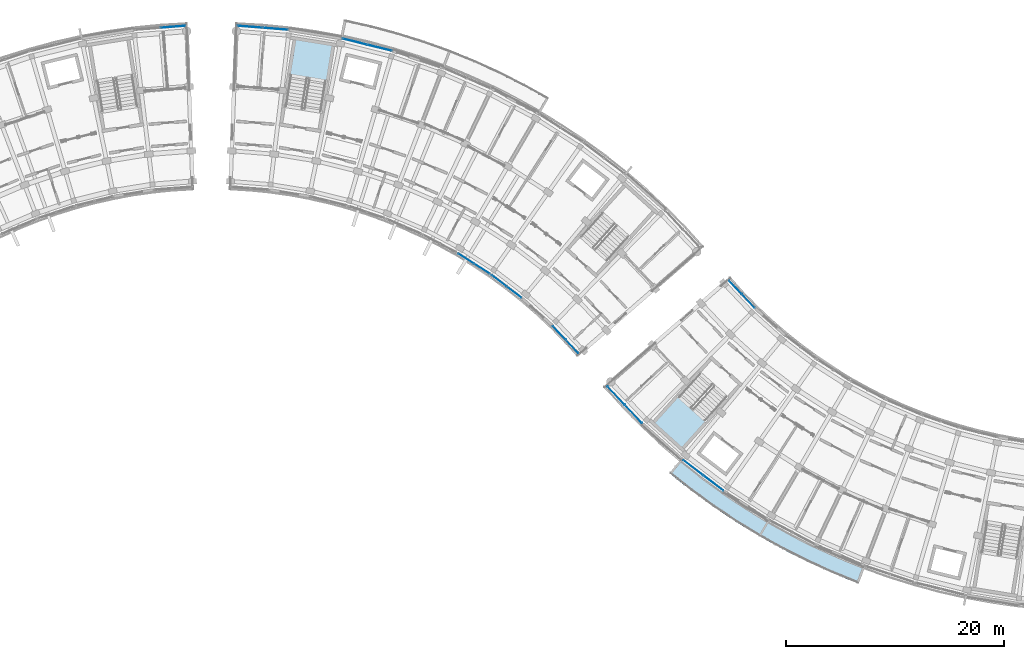
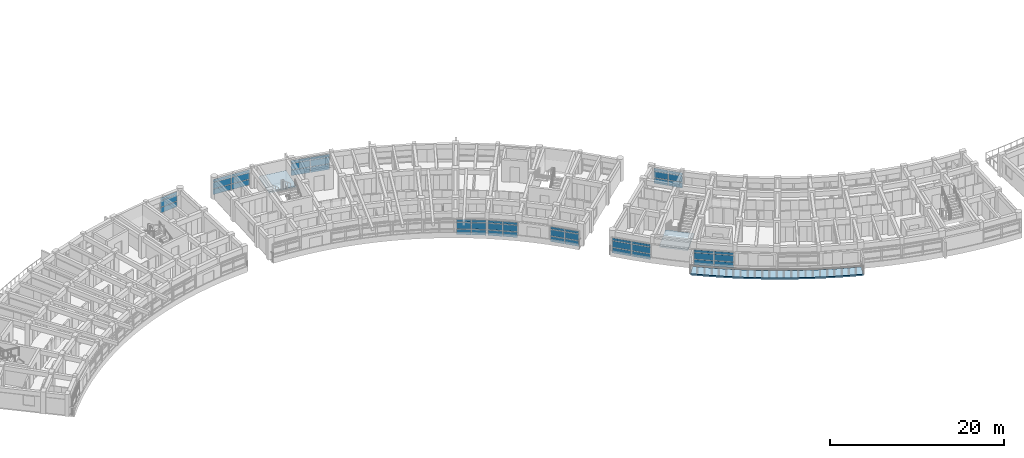
# One storey, part 22 of 54: 51 plates, 3 slabs, 11 elements without a shape of their own.
"""IFC4 building model written with IfcOpenShell, lengths in metres."""

from ifc_helpers import new_model, si_unit, direction, frame, origin, origin_2d, place, context, subcontext, project, spatial, polyline, rectangle, outline, extrude, material, layer, layer_set, type_object, element, aggregate, save


model = new_model("IFC4")

# Units and contexts
model_context = context("Model", 3, precision=1e-05, world=origin(), true_north=direction((0.0, 1.0)))
body_context = subcontext(model_context, "Body", "Model", "MODEL_VIEW")
ifc_project = project(units=[si_unit("LENGTHUNIT", "METRE"), si_unit("AREAUNIT", "SQUARE_METRE"), si_unit("VOLUMEUNIT", "CUBIC_METRE"), si_unit("PLANEANGLEUNIT", "RADIAN"), si_unit("MASSUNIT", "GRAM", prefix="KILO")], contexts=[model_context])

# Site, building, storey
site_placement = place(None, origin())
site = spatial("IfcSite", under=ifc_project, at=site_placement, CompositionType="ELEMENT")
building_placement = place(site_placement, origin())
building = spatial("IfcBuilding", under=site, at=building_placement, Name="Zimvara Arc Housing Community", CompositionType="ELEMENT")
storey_placement = place(building_placement, frame((0.0, 0.0, 20.5)))
storey = spatial("IfcBuildingStorey", under=building, at=storey_placement, Name="L06", CompositionType="ELEMENT", Elevation=20.5)

# Curtain wall, plates
ifc_material_1 = material(Name="Anodised Aluminium AW-6063", Category="aluminium")
curtain_wall_type_1 = type_object("IfcCurtainWallType", Name="CW-SYS-04", PredefinedType="USERDEFINED", material=ifc_material_1)
curtain_wall_1_placement = place(storey_placement, origin())
curtain_wall_1 = element("IfcCurtainWall", 1, at=curtain_wall_1_placement, inside=storey, type_object=curtain_wall_type_1, Name="cw:blkB:L06:in:b7", ObjectType="CURTAIN WALL", PredefinedType="USERDEFINED")
ifc_material_2 = material(Name="Pale-Gold Anodised Aluminium Spandrel Panel", Category="aluminium")
ifc_layer_1 = layer(ifc_material_2, 0.035888671875)
ifc_layer_set_1 = layer_set([ifc_layer_1], Name="Pale-Gold Anodised Aluminium Spandrel Panel")
plate_type_1 = type_object("IfcPlateType", Name="CWP-GLD-36", PredefinedType="CURTAIN_PANEL", material=ifc_layer_set_1)
plate_1_placement = place(storey_placement, frame((71.328857421875, 80.48828125, 0.06494140625), z_axis=(0.0, 0.0, 1.0), x_axis=(0.795473543119, -0.605988318533, 0.0)))
plate_1 = element("IfcPlate", 2, at=plate_1_placement, type_object=plate_type_1, Name="CW04 panel 1.1", PredefinedType="CURTAIN_PANEL", context=body_context, shape_type="SweptSolid", body=[
    extrude(rectangle(XDim=1.664306640625, YDim=0.035888671875, at=origin_2d()), origin(), (0.0, 0.0, 1.0), 0.75244140625),
])
plate_2_placement = place(storey_placement, frame((71.328857421875, 80.48828125, 0.88232421875), z_axis=(0.0, 0.0, 1.0), x_axis=(0.795473543119, -0.605988318533, 0.0)))
plate_2 = element("IfcPlate", 3, at=plate_2_placement, type_object=plate_type_1, Name="CW04 panel 1.2", PredefinedType="CURTAIN_PANEL", context=body_context, shape_type="SweptSolid", body=[
    extrude(rectangle(XDim=1.664306640625, YDim=0.035888671875, at=origin_2d()), origin(), (0.0, 0.0, 1.0), 0.885009765625),
])
plate_3_placement = place(storey_placement, frame((71.328857421875, 80.48828125, 1.83251953125), z_axis=(0.0, 0.0, 1.0), x_axis=(0.795473543119, -0.605988318533, 0.0)))
plate_3 = element("IfcPlate", 4, at=plate_3_placement, type_object=plate_type_1, Name="CW04 panel 1.3", PredefinedType="CURTAIN_PANEL", context=body_context, shape_type="SweptSolid", body=[
    extrude(rectangle(XDim=1.664306640625, YDim=0.035888671875, at=origin_2d()), origin(), (0.0, 0.0, 1.0), 0.3525390625),
])
plate_4_placement = place(storey_placement, frame((72.704345703125, 79.4404296875, 0.06494140625), z_axis=(0.0, 0.0, 1.0), x_axis=(0.795473543119, -0.605988318533, 0.0)))
plate_4 = element("IfcPlate", 5, at=plate_4_placement, type_object=plate_type_1, Name="CW04 panel 2.1", PredefinedType="CURTAIN_PANEL", context=body_context, shape_type="SweptSolid", body=[
    extrude(rectangle(XDim=1.664306640625, YDim=0.035888671875, at=origin_2d()), origin(), (0.0, 0.0, 1.0), 0.75244140625),
])
plate_5_placement = place(storey_placement, frame((72.704345703125, 79.4404296875, 0.88232421875), z_axis=(0.0, 0.0, 1.0), x_axis=(0.795473543119, -0.605988318533, 0.0)))
plate_5 = element("IfcPlate", 6, at=plate_5_placement, type_object=plate_type_1, Name="CW04 panel 2.2", PredefinedType="CURTAIN_PANEL", context=body_context, shape_type="SweptSolid", body=[
    extrude(rectangle(XDim=1.664306640625, YDim=0.035888671875, at=origin_2d()), origin(), (0.0, 0.0, 1.0), 0.885009765625),
])
plate_6_placement = place(storey_placement, frame((72.704345703125, 79.4404296875, 1.83251953125), z_axis=(0.0, 0.0, 1.0), x_axis=(0.795473543119, -0.605988318533, 0.0)))
plate_6 = element("IfcPlate", 7, at=plate_6_placement, type_object=plate_type_1, Name="CW04 panel 2.3", PredefinedType="CURTAIN_PANEL", context=body_context, shape_type="SweptSolid", body=[
    extrude(rectangle(XDim=1.664306640625, YDim=0.035888671875, at=origin_2d()), origin(), (0.0, 0.0, 1.0), 0.3525390625),
])
aggregate(curtain_wall_1, [plate_1, plate_2, plate_3, plate_4, plate_5, plate_6])

ifc_material_3 = material(Name="Anodised Aluminium AW-6063", Category="aluminium")
curtain_wall_type_2 = type_object("IfcCurtainWallType", Name="CW-SYS-05", PredefinedType="USERDEFINED", material=ifc_material_3)
curtain_wall_2_placement = place(storey_placement, origin())
curtain_wall_2 = element("IfcCurtainWall", 8, at=curtain_wall_2_placement, inside=storey, type_object=curtain_wall_type_2, Name="cw:blkA:L06:out:b9", ObjectType="CURTAIN WALL", PredefinedType="USERDEFINED")
ifc_material_4 = material(Name="Solar Control Low-E Double Glazing", Category="glass")
ifc_layer_2 = layer(ifc_material_4, 0.02392578125)
ifc_layer_set_2 = layer_set([ifc_layer_2], Name="Solar Control Low-E Double Glazing")
plate_type_2 = type_object("IfcPlateType", Name="CWP-GLZ-24", PredefinedType="CURTAIN_PANEL", material=ifc_layer_set_2)
plate_7_placement = place(storey_placement, frame((41.466064453125, 103.736572265625, 0.06494140625), z_axis=(0.0, 0.0, 1.0), x_axis=(0.996862418963, 0.079153759607, 0.0)))
plate_7 = element("IfcPlate", 9, at=plate_7_placement, type_object=plate_type_2, Name="CW05 panel 2.1", PredefinedType="CURTAIN_PANEL", context=body_context, shape_type="SweptSolid", body=[
    extrude(rectangle(XDim=2.266845703125, YDim=0.02392578125, at=origin_2d()), origin(), (0.0, 0.0, 1.0), 0.75244140625),
])
plate_8_placement = place(storey_placement, frame((41.466064453125, 103.736572265625, 0.88232421875), z_axis=(0.0, 0.0, 1.0), x_axis=(0.996862418963, 0.079153759607, 0.0)))
plate_8 = element("IfcPlate", 10, at=plate_8_placement, type_object=plate_type_2, Name="CW05 panel 2.2", PredefinedType="CURTAIN_PANEL", context=body_context, shape_type="SweptSolid", body=[
    extrude(rectangle(XDim=2.266845703125, YDim=0.02392578125, at=origin_2d()), origin(), (0.0, 0.0, 1.0), 0.885009765625),
])
plate_9_placement = place(storey_placement, frame((41.466064453125, 103.736572265625, 1.83251953125), z_axis=(0.0, 0.0, 1.0), x_axis=(0.996862418963, 0.079153759607, 0.0)))
plate_9 = element("IfcPlate", 11, at=plate_9_placement, type_object=plate_type_2, Name="CW05 panel 2.3", PredefinedType="CURTAIN_PANEL", context=body_context, shape_type="SweptSolid", body=[
    extrude(rectangle(XDim=2.266845703125, YDim=0.02392578125, at=origin_2d()), origin(), (0.0, 0.0, 1.0), 0.3525390625),
])
aggregate(curtain_wall_2, [plate_7, plate_8, plate_9])

ifc_material_5 = material(Name="Anodised Aluminium AW-6063", Category="aluminium")
curtain_wall_type_3 = type_object("IfcCurtainWallType", Name="CW-SYS-01", PredefinedType="USERDEFINED", material=ifc_material_5)
curtain_wall_3_placement = place(storey_placement, origin())
curtain_wall_3 = element("IfcCurtainWall", 12, at=curtain_wall_3_placement, inside=storey, type_object=curtain_wall_type_3, Name="cw:blkB:L06:out:b0", ObjectType="CURTAIN WALL", PredefinedType="USERDEFINED")
plate_10_placement = place(storey_placement, frame((48.533935546875, 103.736572265625, 0.06494140625), z_axis=(0.0, 0.0, 1.0), x_axis=(0.996862418963, -0.079153759607, 0.0)))
plate_10 = element("IfcPlate", 13, at=plate_10_placement, type_object=plate_type_2, Name="CW01 panel 1.1", PredefinedType="CURTAIN_PANEL", context=body_context, shape_type="SweptSolid", body=[
    extrude(rectangle(XDim=2.266845703125, YDim=0.02392578125, at=origin_2d()), origin(), (0.0, 0.0, 1.0), 0.75244140625),
])
plate_11_placement = place(storey_placement, frame((48.533935546875, 103.736572265625, 0.88232421875), z_axis=(0.0, 0.0, 1.0), x_axis=(0.996862418963, -0.079153759607, 0.0)))
plate_11 = element("IfcPlate", 14, at=plate_11_placement, type_object=plate_type_2, Name="CW01 panel 1.2", PredefinedType="CURTAIN_PANEL", context=body_context, shape_type="SweptSolid", body=[
    extrude(rectangle(XDim=2.266845703125, YDim=0.02392578125, at=origin_2d()), origin(), (0.0, 0.0, 1.0), 0.885009765625),
])
plate_12_placement = place(storey_placement, frame((48.533935546875, 103.736572265625, 1.83251953125), z_axis=(0.0, 0.0, 1.0), x_axis=(0.996862418963, -0.079153759607, 0.0)))
plate_12 = element("IfcPlate", 15, at=plate_12_placement, type_object=plate_type_2, Name="CW01 panel 1.3", PredefinedType="CURTAIN_PANEL", context=body_context, shape_type="SweptSolid", body=[
    extrude(rectangle(XDim=2.266845703125, YDim=0.02392578125, at=origin_2d()), origin(), (0.0, 0.0, 1.0), 0.3525390625),
])
plate_13_placement = place(storey_placement, frame((50.858642578125, 103.552001953125, 0.06494140625), z_axis=(0.0, 0.0, 1.0), x_axis=(0.996862418963, -0.079153759607, 0.0)))
plate_13 = element("IfcPlate", 16, at=plate_13_placement, type_object=plate_type_2, Name="CW01 panel 2.1", PredefinedType="CURTAIN_PANEL", context=body_context, shape_type="SweptSolid", body=[
    extrude(rectangle(XDim=2.266845703125, YDim=0.02392578125, at=origin_2d()), origin(), (0.0, 0.0, 1.0), 0.75244140625),
])
plate_14_placement = place(storey_placement, frame((50.858642578125, 103.552001953125, 0.88232421875), z_axis=(0.0, 0.0, 1.0), x_axis=(0.996862418963, -0.079153759607, 0.0)))
plate_14 = element("IfcPlate", 17, at=plate_14_placement, type_object=plate_type_2, Name="CW01 panel 2.2", PredefinedType="CURTAIN_PANEL", context=body_context, shape_type="SweptSolid", body=[
    extrude(rectangle(XDim=2.266845703125, YDim=0.02392578125, at=origin_2d()), origin(), (0.0, 0.0, 1.0), 0.885009765625),
])
plate_15_placement = place(storey_placement, frame((50.858642578125, 103.552001953125, 1.83251953125), z_axis=(0.0, 0.0, 1.0), x_axis=(0.996862418963, -0.079153759607, 0.0)))
plate_15 = element("IfcPlate", 18, at=plate_15_placement, type_object=plate_type_2, Name="CW01 panel 2.3", PredefinedType="CURTAIN_PANEL", context=body_context, shape_type="SweptSolid", body=[
    extrude(rectangle(XDim=2.266845703125, YDim=0.02392578125, at=origin_2d()), origin(), (0.0, 0.0, 1.0), 0.3525390625),
])
aggregate(curtain_wall_3, [plate_10, plate_11, plate_12, plate_13, plate_14, plate_15])

curtain_wall_4_placement = place(storey_placement, origin())
curtain_wall_4 = element("IfcCurtainWall", 19, at=curtain_wall_4_placement, inside=storey, type_object=curtain_wall_type_2, Name="cw:blkC:L06:out:b0", ObjectType="CURTAIN WALL", PredefinedType="USERDEFINED")
plate_16_placement = place(storey_placement, frame((82.029052734375, 69.988037109375, 0.06494140625), z_axis=(0.0, 0.0, 1.0), x_axis=(0.686326416495, -0.727293647725, 0.0)))
plate_16 = element("IfcPlate", 20, at=plate_16_placement, type_object=plate_type_2, Name="CW05 panel 1.1", PredefinedType="CURTAIN_PANEL", context=body_context, shape_type="SweptSolid", body=[
    extrude(rectangle(XDim=2.266845703125, YDim=0.02392578125, at=origin_2d()), origin(), (0.0, 0.0, 1.0), 0.75244140625),
])
plate_17_placement = place(storey_placement, frame((82.029052734375, 69.988037109375, 0.88232421875), z_axis=(0.0, 0.0, 1.0), x_axis=(0.686326416495, -0.727293647725, 0.0)))
plate_17 = element("IfcPlate", 21, at=plate_17_placement, type_object=plate_type_2, Name="CW05 panel 1.2", PredefinedType="CURTAIN_PANEL", context=body_context, shape_type="SweptSolid", body=[
    extrude(rectangle(XDim=2.266845703125, YDim=0.02392578125, at=origin_2d()), origin(), (0.0, 0.0, 1.0), 0.885009765625),
])
plate_18_placement = place(storey_placement, frame((82.029052734375, 69.988037109375, 1.83251953125), z_axis=(0.0, 0.0, 1.0), x_axis=(0.686326416495, -0.727293647725, 0.0)))
plate_18 = element("IfcPlate", 22, at=plate_18_placement, type_object=plate_type_2, Name="CW05 panel 1.3", PredefinedType="CURTAIN_PANEL", context=body_context, shape_type="SweptSolid", body=[
    extrude(rectangle(XDim=2.266845703125, YDim=0.02392578125, at=origin_2d()), origin(), (0.0, 0.0, 1.0), 0.3525390625),
])
plate_19_placement = place(storey_placement, frame((83.629638671875, 68.2919921875, 0.06494140625), z_axis=(0.0, 0.0, 1.0), x_axis=(0.686326416495, -0.727293647725, 0.0)))
plate_19 = element("IfcPlate", 23, at=plate_19_placement, type_object=plate_type_2, Name="CW05 panel 2.1", PredefinedType="CURTAIN_PANEL", context=body_context, shape_type="SweptSolid", body=[
    extrude(rectangle(XDim=2.266845703125, YDim=0.02392578125, at=origin_2d()), origin(), (0.0, 0.0, 1.0), 0.75244140625),
])
plate_20_placement = place(storey_placement, frame((83.629638671875, 68.2919921875, 0.88232421875), z_axis=(0.0, 0.0, 1.0), x_axis=(0.686326416495, -0.727293647725, 0.0)))
plate_20 = element("IfcPlate", 24, at=plate_20_placement, type_object=plate_type_2, Name="CW05 panel 2.2", PredefinedType="CURTAIN_PANEL", context=body_context, shape_type="SweptSolid", body=[
    extrude(rectangle(XDim=2.266845703125, YDim=0.02392578125, at=origin_2d()), origin(), (0.0, 0.0, 1.0), 0.885009765625),
])
plate_21_placement = place(storey_placement, frame((83.629638671875, 68.2919921875, 1.83251953125), z_axis=(0.0, 0.0, 1.0), x_axis=(0.686326416495, -0.727293647725, 0.0)))
plate_21 = element("IfcPlate", 25, at=plate_21_placement, type_object=plate_type_2, Name="CW05 panel 2.3", PredefinedType="CURTAIN_PANEL", context=body_context, shape_type="SweptSolid", body=[
    extrude(rectangle(XDim=2.266845703125, YDim=0.02392578125, at=origin_2d()), origin(), (0.0, 0.0, 1.0), 0.3525390625),
])
aggregate(curtain_wall_4, [plate_16, plate_17, plate_18, plate_19, plate_20, plate_21])

ifc_material_6 = material(Name="Anodised Aluminium AW-6063", Category="aluminium")
curtain_wall_type_4 = type_object("IfcCurtainWallType", Name="CW-SYS-02", PredefinedType="USERDEFINED", material=ifc_material_6)
curtain_wall_5_placement = place(storey_placement, origin())
curtain_wall_5 = element("IfcCurtainWall", 26, at=curtain_wall_5_placement, inside=storey, type_object=curtain_wall_type_4, Name="cw:blkB:L06:in:b6", ObjectType="CURTAIN WALL", PredefinedType="USERDEFINED")
ifc_material_7 = material(Name="Solar Control Low-E Double Glazing", Category="glass")
ifc_layer_3 = layer(ifc_material_7, 0.028076171875)
ifc_layer_set_3 = layer_set([ifc_layer_3], Name="Solar Control Low-E Double Glazing")
plate_type_3 = type_object("IfcPlateType", Name="CWP-GLZ-28", PredefinedType="CURTAIN_PANEL", material=ifc_layer_set_3)
plate_22_placement = place(storey_placement, frame((68.3046875, 82.5166015625, 0.06494140625), z_axis=(0.0, 0.0, 1.0), x_axis=(0.842264751752, -0.539064085203, 0.0)))
plate_22 = element("IfcPlate", 27, at=plate_22_placement, type_object=plate_type_3, Name="CW02 panel 1.1", PredefinedType="CURTAIN_PANEL", context=body_context, shape_type="SweptSolid", body=[
    extrude(rectangle(XDim=1.664306640625, YDim=0.028076171875, at=origin_2d()), origin(), (0.0, 0.0, 1.0), 0.75244140625),
])
plate_23_placement = place(storey_placement, frame((68.3046875, 82.5166015625, 0.88232421875), z_axis=(0.0, 0.0, 1.0), x_axis=(0.842264751752, -0.539064085203, 0.0)))
plate_23 = element("IfcPlate", 28, at=plate_23_placement, type_object=plate_type_3, Name="CW02 panel 1.2", PredefinedType="CURTAIN_PANEL", context=body_context, shape_type="SweptSolid", body=[
    extrude(rectangle(XDim=1.664306640625, YDim=0.028076171875, at=origin_2d()), origin(), (0.0, 0.0, 1.0), 0.885009765625),
])
plate_24_placement = place(storey_placement, frame((68.3046875, 82.5166015625, 1.83251953125), z_axis=(0.0, 0.0, 1.0), x_axis=(0.842264751752, -0.539064085203, 0.0)))
plate_24 = element("IfcPlate", 29, at=plate_24_placement, type_object=plate_type_3, Name="CW02 panel 1.3", PredefinedType="CURTAIN_PANEL", context=body_context, shape_type="SweptSolid", body=[
    extrude(rectangle(XDim=1.664306640625, YDim=0.028076171875, at=origin_2d()), origin(), (0.0, 0.0, 1.0), 0.3525390625),
])
plate_25_placement = place(storey_placement, frame((69.76123046875, 81.58447265625, 0.06494140625), z_axis=(0.0, 0.0, 1.0), x_axis=(0.842264751752, -0.539064085203, 0.0)))
plate_25 = element("IfcPlate", 30, at=plate_25_placement, type_object=plate_type_3, Name="CW02 panel 2.1", PredefinedType="CURTAIN_PANEL", context=body_context, shape_type="SweptSolid", body=[
    extrude(rectangle(XDim=1.664306640625, YDim=0.028076171875, at=origin_2d()), origin(), (0.0, 0.0, 1.0), 0.75244140625),
])
plate_26_placement = place(storey_placement, frame((69.76123046875, 81.58447265625, 0.88232421875), z_axis=(0.0, 0.0, 1.0), x_axis=(0.842264751752, -0.539064085203, 0.0)))
plate_26 = element("IfcPlate", 31, at=plate_26_placement, type_object=plate_type_3, Name="CW02 panel 2.2", PredefinedType="CURTAIN_PANEL", context=body_context, shape_type="SweptSolid", body=[
    extrude(rectangle(XDim=1.664306640625, YDim=0.028076171875, at=origin_2d()), origin(), (0.0, 0.0, 1.0), 0.885009765625),
])
plate_27_placement = place(storey_placement, frame((69.76123046875, 81.58447265625, 1.83251953125), z_axis=(0.0, 0.0, 1.0), x_axis=(0.842264751752, -0.539064085203, 0.0)))
plate_27 = element("IfcPlate", 32, at=plate_27_placement, type_object=plate_type_3, Name="CW02 panel 2.3", PredefinedType="CURTAIN_PANEL", context=body_context, shape_type="SweptSolid", body=[
    extrude(rectangle(XDim=1.664306640625, YDim=0.028076171875, at=origin_2d()), origin(), (0.0, 0.0, 1.0), 0.3525390625),
])
aggregate(curtain_wall_5, [plate_22, plate_23, plate_24, plate_25, plate_26, plate_27])

ifc_material_8 = material(Name="Anodised Aluminium AW-6063", Category="aluminium")
curtain_wall_type_5 = type_object("IfcCurtainWallType", Name="CW-SYS-06", PredefinedType="USERDEFINED", material=ifc_material_8)
curtain_wall_6_placement = place(storey_placement, origin())
curtain_wall_6 = element("IfcCurtainWall", 33, at=curtain_wall_6_placement, inside=storey, type_object=curtain_wall_type_5, Name="cw:blkB:L06:in:b9", ObjectType="CURTAIN WALL", PredefinedType="USERDEFINED")
plate_28_placement = place(storey_placement, frame((76.831298828125, 75.727294921875, 0.06494140625), z_axis=(0.0, 0.0, 1.0), x_axis=(0.686326805658, -0.727293280483, 0.0)))
plate_28 = element("IfcPlate", 34, at=plate_28_placement, type_object=plate_type_3, Name="CW06 panel 1.1", PredefinedType="CURTAIN_PANEL", context=body_context, shape_type="SweptSolid", body=[
    extrude(rectangle(XDim=1.664306640625, YDim=0.028076171875, at=origin_2d()), origin(), (0.0, 0.0, 1.0), 0.75244140625),
])
plate_29_placement = place(storey_placement, frame((76.831298828125, 75.727294921875, 0.88232421875), z_axis=(0.0, 0.0, 1.0), x_axis=(0.686326805658, -0.727293280483, 0.0)))
plate_29 = element("IfcPlate", 35, at=plate_29_placement, type_object=plate_type_3, Name="CW06 panel 1.2", PredefinedType="CURTAIN_PANEL", context=body_context, shape_type="SweptSolid", body=[
    extrude(rectangle(XDim=1.664306640625, YDim=0.028076171875, at=origin_2d()), origin(), (0.0, 0.0, 1.0), 0.885009765625),
])
plate_30_placement = place(storey_placement, frame((76.831298828125, 75.727294921875, 1.83251953125), z_axis=(0.0, 0.0, 1.0), x_axis=(0.686326805658, -0.727293280483, 0.0)))
plate_30 = element("IfcPlate", 36, at=plate_30_placement, type_object=plate_type_3, Name="CW06 panel 1.3", PredefinedType="CURTAIN_PANEL", context=body_context, shape_type="SweptSolid", body=[
    extrude(rectangle(XDim=1.664306640625, YDim=0.028076171875, at=origin_2d()), origin(), (0.0, 0.0, 1.0), 0.3525390625),
])
plate_31_placement = place(storey_placement, frame((78.018310546875, 74.469482421875, 0.06494140625), z_axis=(0.0, 0.0, 1.0), x_axis=(0.686326805658, -0.727293280483, 0.0)))
plate_31 = element("IfcPlate", 37, at=plate_31_placement, type_object=plate_type_3, Name="CW06 panel 2.1", PredefinedType="CURTAIN_PANEL", context=body_context, shape_type="SweptSolid", body=[
    extrude(rectangle(XDim=1.664306640625, YDim=0.028076171875, at=origin_2d()), origin(), (0.0, 0.0, 1.0), 0.75244140625),
])
plate_32_placement = place(storey_placement, frame((78.018310546875, 74.469482421875, 0.88232421875), z_axis=(0.0, 0.0, 1.0), x_axis=(0.686326805658, -0.727293280483, 0.0)))
plate_32 = element("IfcPlate", 38, at=plate_32_placement, type_object=plate_type_3, Name="CW06 panel 2.2", PredefinedType="CURTAIN_PANEL", context=body_context, shape_type="SweptSolid", body=[
    extrude(rectangle(XDim=1.664306640625, YDim=0.028076171875, at=origin_2d()), origin(), (0.0, 0.0, 1.0), 0.885009765625),
])
plate_33_placement = place(storey_placement, frame((78.018310546875, 74.469482421875, 1.83251953125), z_axis=(0.0, 0.0, 1.0), x_axis=(0.686326805658, -0.727293280483, 0.0)))
plate_33 = element("IfcPlate", 39, at=plate_33_placement, type_object=plate_type_3, Name="CW06 panel 2.3", PredefinedType="CURTAIN_PANEL", context=body_context, shape_type="SweptSolid", body=[
    extrude(rectangle(XDim=1.664306640625, YDim=0.028076171875, at=origin_2d()), origin(), (0.0, 0.0, 1.0), 0.3525390625),
])
aggregate(curtain_wall_6, [plate_28, plate_29, plate_30, plate_31, plate_32, plate_33])

curtain_wall_7_placement = place(storey_placement, origin())
curtain_wall_7 = element("IfcCurtainWall", 40, at=curtain_wall_7_placement, inside=storey, type_object=curtain_wall_type_5, Name="cw:blkC:L06:in:b0", ObjectType="CURTAIN WALL", PredefinedType="USERDEFINED")
plate_34_placement = place(storey_placement, frame((92.961669921875, 79.890625, 0.06494140625), z_axis=(0.0, 0.0, 1.0), x_axis=(0.686326805658, -0.727293280483, 0.0)))
plate_34 = element("IfcPlate", 41, at=plate_34_placement, type_object=plate_type_3, Name="CW06 panel 1.1", PredefinedType="CURTAIN_PANEL", context=body_context, shape_type="SweptSolid", body=[
    extrude(rectangle(XDim=1.664306640625, YDim=0.028076171875, at=origin_2d()), origin(), (0.0, 0.0, 1.0), 0.75244140625),
])
plate_35_placement = place(storey_placement, frame((92.961669921875, 79.890625, 0.88232421875), z_axis=(0.0, 0.0, 1.0), x_axis=(0.686326805658, -0.727293280483, 0.0)))
plate_35 = element("IfcPlate", 42, at=plate_35_placement, type_object=plate_type_3, Name="CW06 panel 1.2", PredefinedType="CURTAIN_PANEL", context=body_context, shape_type="SweptSolid", body=[
    extrude(rectangle(XDim=1.664306640625, YDim=0.028076171875, at=origin_2d()), origin(), (0.0, 0.0, 1.0), 0.885009765625),
])
plate_36_placement = place(storey_placement, frame((92.961669921875, 79.890625, 1.83251953125), z_axis=(0.0, 0.0, 1.0), x_axis=(0.686326805658, -0.727293280483, 0.0)))
plate_36 = element("IfcPlate", 43, at=plate_36_placement, type_object=plate_type_3, Name="CW06 panel 1.3", PredefinedType="CURTAIN_PANEL", context=body_context, shape_type="SweptSolid", body=[
    extrude(rectangle(XDim=1.664306640625, YDim=0.028076171875, at=origin_2d()), origin(), (0.0, 0.0, 1.0), 0.3525390625),
])
plate_37_placement = place(storey_placement, frame((94.148681640625, 78.6328125, 0.06494140625), z_axis=(0.0, 0.0, 1.0), x_axis=(0.686326805658, -0.727293280483, 0.0)))
plate_37 = element("IfcPlate", 44, at=plate_37_placement, type_object=plate_type_3, Name="CW06 panel 2.1", PredefinedType="CURTAIN_PANEL", context=body_context, shape_type="SweptSolid", body=[
    extrude(rectangle(XDim=1.664306640625, YDim=0.028076171875, at=origin_2d()), origin(), (0.0, 0.0, 1.0), 0.75244140625),
])
plate_38_placement = place(storey_placement, frame((94.148681640625, 78.6328125, 0.88232421875), z_axis=(0.0, 0.0, 1.0), x_axis=(0.686326805658, -0.727293280483, 0.0)))
plate_38 = element("IfcPlate", 45, at=plate_38_placement, type_object=plate_type_3, Name="CW06 panel 2.2", PredefinedType="CURTAIN_PANEL", context=body_context, shape_type="SweptSolid", body=[
    extrude(rectangle(XDim=1.664306640625, YDim=0.028076171875, at=origin_2d()), origin(), (0.0, 0.0, 1.0), 0.885009765625),
])
plate_39_placement = place(storey_placement, frame((94.148681640625, 78.6328125, 1.83251953125), z_axis=(0.0, 0.0, 1.0), x_axis=(0.686326805658, -0.727293280483, 0.0)))
plate_39 = element("IfcPlate", 46, at=plate_39_placement, type_object=plate_type_3, Name="CW06 panel 2.3", PredefinedType="CURTAIN_PANEL", context=body_context, shape_type="SweptSolid", body=[
    extrude(rectangle(XDim=1.664306640625, YDim=0.028076171875, at=origin_2d()), origin(), (0.0, 0.0, 1.0), 0.3525390625),
])
aggregate(curtain_wall_7, [plate_34, plate_35, plate_36, plate_37, plate_38, plate_39])

ifc_material_9 = material(Name="Anodised Aluminium AW-6063", Category="aluminium")
curtain_wall_type_6 = type_object("IfcCurtainWallType", Name="CW-SYS-03", PredefinedType="USERDEFINED", material=ifc_material_9)
curtain_wall_8_placement = place(storey_placement, origin())
curtain_wall_8 = element("IfcCurtainWall", 47, at=curtain_wall_8_placement, inside=storey, type_object=curtain_wall_type_6, Name="cw:blkB:L06:out:b2", ObjectType="CURTAIN WALL", PredefinedType="USERDEFINED")
ifc_material_10 = material(Name="Acoustic Laminated Solar Glazing", Category="glass")
ifc_layer_4 = layer(ifc_material_10, 0.031982421875)
ifc_layer_set_4 = layer_set([ifc_layer_4], Name="Acoustic Laminated Solar Glazing")
plate_type_4 = type_object("IfcPlateType", Name="CWP-GLZ-32", PredefinedType="CURTAIN_PANEL", material=ifc_layer_set_4)
plate_40_placement = place(storey_placement, frame((58.12109375, 102.373291015625, 0.06494140625), z_axis=(0.0, 0.0, 1.0), x_axis=(0.970716068627, -0.240229711131, 0.0)))
plate_40 = element("IfcPlate", 48, at=plate_40_placement, type_object=plate_type_4, Name="CW03 panel 1.1", PredefinedType="CURTAIN_PANEL", context=body_context, shape_type="SweptSolid", body=[
    extrude(rectangle(XDim=2.266845703125, YDim=0.031982421875, at=origin_2d()), origin(), (0.0, 0.0, 1.0), 0.75244140625),
])
plate_41_placement = place(storey_placement, frame((58.12109375, 102.373291015625, 0.88232421875), z_axis=(0.0, 0.0, 1.0), x_axis=(0.970716068627, -0.240229711131, 0.0)))
plate_41 = element("IfcPlate", 49, at=plate_41_placement, type_object=plate_type_4, Name="CW03 panel 1.2", PredefinedType="CURTAIN_PANEL", context=body_context, shape_type="SweptSolid", body=[
    extrude(rectangle(XDim=2.266845703125, YDim=0.031982421875, at=origin_2d()), origin(), (0.0, 0.0, 1.0), 0.885009765625),
])
plate_42_placement = place(storey_placement, frame((58.12109375, 102.373291015625, 1.83251953125), z_axis=(0.0, 0.0, 1.0), x_axis=(0.970716068627, -0.240229711131, 0.0)))
plate_42 = element("IfcPlate", 50, at=plate_42_placement, type_object=plate_type_4, Name="CW03 panel 1.3", PredefinedType="CURTAIN_PANEL", context=body_context, shape_type="SweptSolid", body=[
    extrude(rectangle(XDim=2.266845703125, YDim=0.031982421875, at=origin_2d()), origin(), (0.0, 0.0, 1.0), 0.3525390625),
])
plate_43_placement = place(storey_placement, frame((60.384765625, 101.81298828125, 0.06494140625), z_axis=(0.0, 0.0, 1.0), x_axis=(0.970716068627, -0.240229711131, 0.0)))
plate_43 = element("IfcPlate", 51, at=plate_43_placement, type_object=plate_type_4, Name="CW03 panel 2.1", PredefinedType="CURTAIN_PANEL", context=body_context, shape_type="SweptSolid", body=[
    extrude(rectangle(XDim=2.266845703125, YDim=0.031982421875, at=origin_2d()), origin(), (0.0, 0.0, 1.0), 0.75244140625),
])
plate_44_placement = place(storey_placement, frame((60.384765625, 101.81298828125, 0.88232421875), z_axis=(0.0, 0.0, 1.0), x_axis=(0.970716068627, -0.240229711131, 0.0)))
plate_44 = element("IfcPlate", 52, at=plate_44_placement, type_object=plate_type_4, Name="CW03 panel 2.2", PredefinedType="CURTAIN_PANEL", context=body_context, shape_type="SweptSolid", body=[
    extrude(rectangle(XDim=2.266845703125, YDim=0.031982421875, at=origin_2d()), origin(), (0.0, 0.0, 1.0), 0.885009765625),
])
plate_45_placement = place(storey_placement, frame((60.384765625, 101.81298828125, 1.83251953125), z_axis=(0.0, 0.0, 1.0), x_axis=(0.970716068627, -0.240229711131, 0.0)))
plate_45 = element("IfcPlate", 53, at=plate_45_placement, type_object=plate_type_4, Name="CW03 panel 2.3", PredefinedType="CURTAIN_PANEL", context=body_context, shape_type="SweptSolid", body=[
    extrude(rectangle(XDim=2.266845703125, YDim=0.031982421875, at=origin_2d()), origin(), (0.0, 0.0, 1.0), 0.3525390625),
])
aggregate(curtain_wall_8, [plate_40, plate_41, plate_42, plate_43, plate_44, plate_45])

ifc_material_11 = material(Name="Anodised Aluminium AW-6063", Category="aluminium")
curtain_wall_type_7 = type_object("IfcCurtainWallType", Name="CW-SYS-07", PredefinedType="USERDEFINED", material=ifc_material_11)
curtain_wall_9_placement = place(storey_placement, origin())
curtain_wall_9 = element("IfcCurtainWall", 54, at=curtain_wall_9_placement, inside=storey, type_object=curtain_wall_type_7, Name="cw:blkC:L06:out:b2", ObjectType="CURTAIN WALL", PredefinedType="USERDEFINED")
plate_46_placement = place(storey_placement, frame((89.098876953125, 63.370849609375, 0.06494140625), z_axis=(0.0, 0.0, 1.0), x_axis=(0.795473999177, -0.60598771987, 0.0)))
plate_46 = element("IfcPlate", 55, at=plate_46_placement, type_object=plate_type_4, Name="CW07 panel 1.1", PredefinedType="CURTAIN_PANEL", context=body_context, shape_type="SweptSolid", body=[
    extrude(rectangle(XDim=2.266845703125, YDim=0.031982421875, at=origin_2d()), origin(), (0.0, 0.0, 1.0), 0.75244140625),
])
plate_47_placement = place(storey_placement, frame((89.098876953125, 63.370849609375, 0.88232421875), z_axis=(0.0, 0.0, 1.0), x_axis=(0.795473999177, -0.60598771987, 0.0)))
plate_47 = element("IfcPlate", 56, at=plate_47_placement, type_object=plate_type_4, Name="CW07 panel 1.2", PredefinedType="CURTAIN_PANEL", context=body_context, shape_type="SweptSolid", body=[
    extrude(rectangle(XDim=2.266845703125, YDim=0.031982421875, at=origin_2d()), origin(), (0.0, 0.0, 1.0), 0.885009765625),
])
plate_48_placement = place(storey_placement, frame((89.098876953125, 63.370849609375, 1.83251953125), z_axis=(0.0, 0.0, 1.0), x_axis=(0.795473999177, -0.60598771987, 0.0)))
plate_48 = element("IfcPlate", 57, at=plate_48_placement, type_object=plate_type_4, Name="CW07 panel 1.3", PredefinedType="CURTAIN_PANEL", context=body_context, shape_type="SweptSolid", body=[
    extrude(rectangle(XDim=2.266845703125, YDim=0.031982421875, at=origin_2d()), origin(), (0.0, 0.0, 1.0), 0.3525390625),
])
plate_49_placement = place(storey_placement, frame((90.953857421875, 61.95751953125, 0.06494140625), z_axis=(0.0, 0.0, 1.0), x_axis=(0.795473999177, -0.60598771987, 0.0)))
plate_49 = element("IfcPlate", 58, at=plate_49_placement, type_object=plate_type_4, Name="CW07 panel 2.1", PredefinedType="CURTAIN_PANEL", context=body_context, shape_type="SweptSolid", body=[
    extrude(rectangle(XDim=2.266845703125, YDim=0.031982421875, at=origin_2d()), origin(), (0.0, 0.0, 1.0), 0.75244140625),
])
plate_50_placement = place(storey_placement, frame((90.953857421875, 61.95751953125, 0.88232421875), z_axis=(0.0, 0.0, 1.0), x_axis=(0.795473999177, -0.60598771987, 0.0)))
plate_50 = element("IfcPlate", 59, at=plate_50_placement, type_object=plate_type_4, Name="CW07 panel 2.2", PredefinedType="CURTAIN_PANEL", context=body_context, shape_type="SweptSolid", body=[
    extrude(rectangle(XDim=2.266845703125, YDim=0.031982421875, at=origin_2d()), origin(), (0.0, 0.0, 1.0), 0.885009765625),
])
plate_51_placement = place(storey_placement, frame((90.953857421875, 61.95751953125, 1.83251953125), z_axis=(0.0, 0.0, 1.0), x_axis=(0.795473999177, -0.60598771987, 0.0)))
plate_51 = element("IfcPlate", 60, at=plate_51_placement, type_object=plate_type_4, Name="CW07 panel 2.3", PredefinedType="CURTAIN_PANEL", context=body_context, shape_type="SweptSolid", body=[
    extrude(rectangle(XDim=2.266845703125, YDim=0.031982421875, at=origin_2d()), origin(), (0.0, 0.0, 1.0), 0.3525390625),
])
aggregate(curtain_wall_9, [plate_46, plate_47, plate_48, plate_49, plate_50, plate_51])

# Stair, slab
ifc_material_12 = material(Name="Concrete C35/45", Category="concrete")
stair_type_1 = type_object("IfcStairType", Name="STR-DL-315-310", PredefinedType="HALF_TURN_STAIR", material=ifc_material_12)
stair_1_placement = place(storey_placement, origin())
stair_1 = element("IfcStair", 61, at=stair_1_placement, inside=storey, type_object=stair_type_1, Name="L06 Block B Exit Stair 1", PredefinedType="HALF_TURN_STAIR")
ifc_material_13 = material(Name="Concrete C35/45", Category="concrete")
ifc_layer_5 = layer(ifc_material_13, 0.199951171875)
ifc_layer_set_5 = layer_set([ifc_layer_5], Name="Concrete C35/45")
slab_type_1 = type_object("IfcSlabType", Name="SLB-STAIR-LND-200", PredefinedType="LANDING", material=ifc_layer_set_5)
slab_1_placement = place(storey_placement, frame((0.0, 0.0, 1.35009765625)))
slab_1 = element("IfcSlab", 62, at=slab_1_placement, type_object=slab_type_1, Name="ST-B1 landing 1", PredefinedType="LANDING", context=body_context, shape_type="SweptSolid", body=[
    extrude(outline(polyline([(55.501953125, 98.712646484375), (56.037841796875, 102.014404296875), (52.721435546875, 102.552978515625), (52.185302734375, 99.2509765625), (55.501953125, 98.712646484375)])), origin(), (0.0, 0.0, 1.0), 0.199951171875),
])
aggregate(stair_1, [slab_1])

ifc_material_14 = material(Name="Concrete C35/45", Category="concrete")
stair_type_2 = type_object("IfcStairType", Name="STR-DL-318-310", PredefinedType="HALF_TURN_STAIR", material=ifc_material_14)
stair_2_placement = place(storey_placement, origin())
stair_2 = element("IfcStair", 63, at=stair_2_placement, inside=storey, type_object=stair_type_2, Name="L06 Block C Exit Stair 1", PredefinedType="HALF_TURN_STAIR")
slab_2_placement = place(storey_placement, frame((0.0, 0.0, 1.35009765625)))
slab_2 = element("IfcSlab", 64, at=slab_2_placement, type_object=slab_type_1, Name="ST-C1 landing 1", PredefinedType="LANDING", context=body_context, shape_type="SweptSolid", body=[
    extrude(outline(polyline([(87.794677734375, 69.932861328125), (85.575439453125, 67.46630859375), (88.0732421875, 65.218994140625), (90.29248046875, 67.685546875), (87.794677734375, 69.932861328125)])), origin(), (0.0, 0.0, 1.0), 0.199951171875),
])
aggregate(stair_2, [slab_2])

# Slab
ifc_material_15 = material(Name="Concrete C35/45", Category="concrete")
ifc_layer_6 = layer(ifc_material_15, 0.2099609375)
ifc_layer_set_6 = layer_set([ifc_layer_6], Name="Concrete C35/45")
slab_type_2 = type_object("IfcSlabType", Name="SLB-TER-210", PredefinedType="FLOOR", material=ifc_layer_set_6)
slab_3_placement = place(storey_placement, frame((0.0, 0.0, -0.2099609375)))
element("IfcSlab", 65, at=slab_3_placement, inside=storey, type_object=slab_type_2, Name="slab:blkC:L06:bal_out", PredefinedType="FLOOR", context=body_context, shape_type="SweptSolid", body=[
    extrude(outline(polyline([(104.688232421875, 54.160888671875), (104.687744140625, 54.1611328125), (102.432373046875, 55.076416015625), (102.431396484375, 55.076904296875), (100.21533203125, 56.08349609375), (100.214111328125, 56.083984375), (98.041015625, 57.18017578125), (98.0400390625, 57.180908203125), (95.91357421875, 58.364990234375), (95.912353515625, 58.365478515625), (93.836181640625, 59.635498046875), (93.8349609375, 59.63623046875), (91.812255859375, 60.98974609375), (91.811279296875, 60.990478515625), (89.845458984375, 62.425537109375), (89.844482421875, 62.42626953125), (87.938720703125, 63.9404296875), (87.938232421875, 63.94091796875), (87.00048828125, 62.808837890625), (87.969482421875, 62.022705078125), (88.9541015625, 61.256591796875), (89.954345703125, 60.5107421875), (90.969482421875, 59.785400390625), (91.999267578125, 59.080810546875), (93.043212890625, 58.397705078125), (94.100830078125, 57.73583984375), (95.171875, 57.095703125), (96.255615234375, 56.477783203125), (97.351806640625, 55.8818359375), (98.4599609375, 55.30859375), (99.57958984375, 54.758056640625), (100.710205078125, 54.23046875), (101.851318359375, 53.72607421875), (103.002685546875, 53.2451171875), (104.163330078125, 52.787841796875), (104.688232421875, 54.160888671875)])), origin(), (0.0, 0.0, 1.0), 0.2099609375),
])

save(model, "model.ifc")
